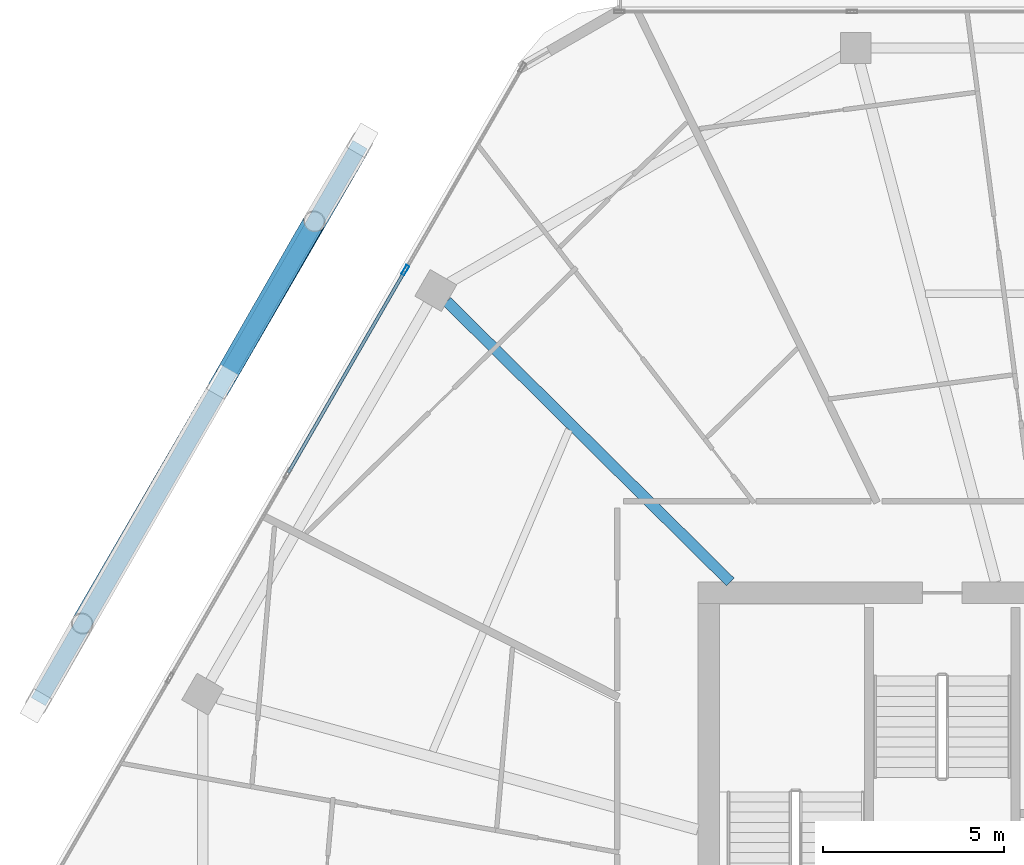
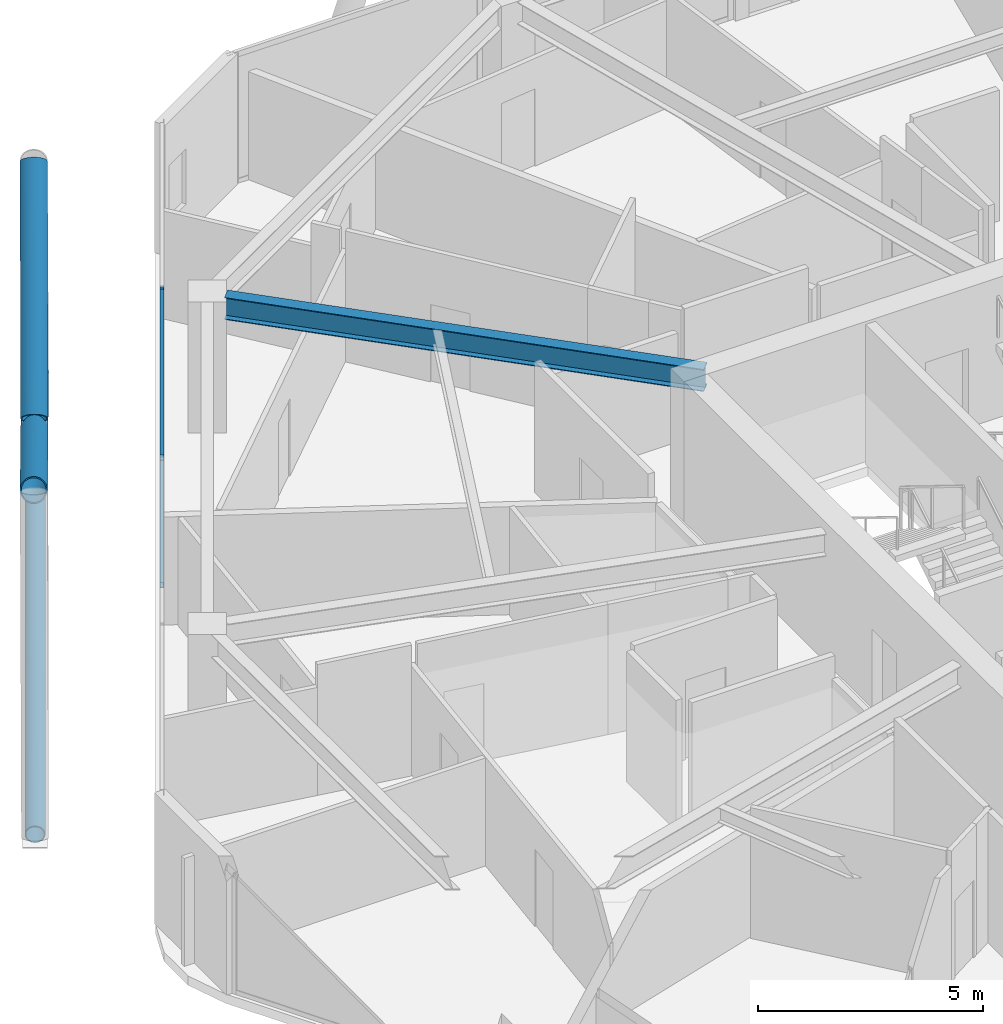
# One storey, part 13 of 27: 6 members, 1 beam, 1 element without a shape of its own.
"""IFC4 building model written with IfcOpenShell, lengths in metres."""

from ifc_helpers import new_model, si_unit, direction, frame, origin, origin_2d, place, context, subcontext, project, spatial, hollow_rectangle, hollow_circle, i_section, extrude, material, material_profile, profile_set, type_object, element, aggregate, save


model = new_model("IFC4")

# Units and contexts
model_context = context("Model", 3, precision=1e-05, world=origin(), true_north=direction((0.0, 1.0)))
body_context = subcontext(model_context, "Body", "Model", "MODEL_VIEW")
ifc_project = project(units=[si_unit("LENGTHUNIT", "METRE"), si_unit("AREAUNIT", "SQUARE_METRE"), si_unit("VOLUMEUNIT", "CUBIC_METRE"), si_unit("PLANEANGLEUNIT", "RADIAN"), si_unit("MASSUNIT", "GRAM", prefix="KILO")], contexts=[model_context])

# Site, building, storey
site_placement = place(None, origin())
site = spatial("IfcSite", under=ifc_project, at=site_placement, CompositionType="ELEMENT")
building_placement = place(site_placement, origin())
building = spatial("IfcBuilding", under=site, at=building_placement, Name="Zuhravey Tower", CompositionType="ELEMENT")
storey_placement = place(building_placement, frame((0.0, 0.0, 276.800048828125)))
storey = spatial("IfcBuildingStorey", under=building, at=storey_placement, Name="L70", CompositionType="ELEMENT", Elevation=276.800048828125)

# Curtain wall, members
ifc_material_1 = material(Name="Thermally broken anodised aluminium", Category="aluminium")
curtain_wall_type = type_object("IfcCurtainWallType", Name="Zone 3-4 High-Rise Curtain Wall CW4", PredefinedType="NOTDEFINED", material=ifc_material_1)
curtain_wall_placement = place(storey_placement, origin())
curtain_wall = element("IfcCurtainWall", 1, at=curtain_wall_placement, inside=storey, type_object=curtain_wall_type, Name="L70 CW4 CW-L70-F3-1", PredefinedType="NOTDEFINED")
ifc_material_2 = material(Name="Anodised aluminium", Category="aluminium")
ifc_material_profile_1 = material_profile(ifc_material_2, hollow_rectangle(XDim=0.090087890625, YDim=0.284912109375, WallThickness=0.0048828125, at=origin_2d()), Name="ALU-RHS-90x285x5")
ifc_profile_set_1 = profile_set([ifc_material_profile_1], Name="Anodised aluminium")
member_type_1 = type_object("IfcMemberType", Name="Curtain-Wall Mullion 90x180", PredefinedType="MULLION", material=ifc_profile_set_1)
member_1_placement = place(storey_placement, frame((17.114501953125, 50.41650390625, 0.0), z_axis=(0.0, 0.0, 1.0), x_axis=(-0.866024851021, 0.500000957414, 0.0)))
member_1 = element("IfcMember", 2, at=member_1_placement, type_object=member_type_1, Name="CW4 mullion 4", PredefinedType="MULLION", context=body_context, shape_type="SweptSolid", body=[
    extrude(hollow_rectangle(XDim=0.090087890625, YDim=0.284912109375, WallThickness=0.0048828125, at=origin_2d()), origin(), (0.0, 0.0, 1.0), 3.550048828125),
])
ifc_material_profile_2 = material_profile(ifc_material_2, hollow_rectangle(XDim=0.090087890625, YDim=0.14990234375, WallThickness=0.0048828125, at=origin_2d()), Name="ALU-RHS-90x150x5")
ifc_profile_set_2 = profile_set([ifc_material_profile_2], Name="Anodised aluminium")
member_type_2 = type_object("IfcMemberType", Name="Curtain-Wall Transom 90x150", PredefinedType="USERDEFINED", material=ifc_profile_set_2)
member_2_placement = place(storey_placement, frame((13.8837890625, 44.82080078125, 0.044921875), z_axis=(0.500014493347, 0.866017035885, 0.0), x_axis=(-0.866017035885, 0.500014493347, 0.0)))
member_2 = element("IfcMember", 3, at=member_2_placement, type_object=member_type_2, Name="CW4 transom 3.1", ObjectType="TRANSOM", PredefinedType="USERDEFINED", context=body_context, shape_type="SweptSolid", body=[
    extrude(hollow_rectangle(XDim=0.090087890625, YDim=0.14990234375, WallThickness=0.0048828125, at=origin_2d()), origin(), (0.0, 0.0, 1.0), 6.416259765625),
])
member_3_placement = place(storey_placement, frame((13.8837890625, 44.82080078125, 3.5048828125), z_axis=(0.500014493347, 0.866017035885, 0.0), x_axis=(-0.866017035885, 0.500014493347, 0.0)))
member_3 = element("IfcMember", 4, at=member_3_placement, type_object=member_type_2, Name="CW4 transom 3.2", ObjectType="TRANSOM", PredefinedType="USERDEFINED", context=body_context, shape_type="SweptSolid", body=[
    extrude(hollow_rectangle(XDim=0.090087890625, YDim=0.14990234375, WallThickness=0.0048828125, at=origin_2d()), origin(), (0.0, 0.0, 1.0), 6.416259765625),
])
aggregate(curtain_wall, [member_1, member_2, member_3])

# Members
ifc_material_3 = material(Name="Steel SM355", Category="steel")
ifc_material_profile_3 = material_profile(ifc_material_3, hollow_circle(Radius=0.228515625, WallThickness=0.02197265625, at=origin_2d()), Name="CHS-457.2x22")
ifc_profile_set_3 = profile_set([ifc_material_profile_3], Name="Steel SM355")
member_type_3 = type_object("IfcMemberType", Name="Exoskeleton Ring Tie CHS457x22", PredefinedType="CHORD", material=ifc_profile_set_3)
member_4_placement = place(storey_placement, frame((15.863525390625, 53.889892578125, -0.464111328125), z_axis=(-0.499995467921, -0.866028020366, 0.0), x_axis=(0.866028020366, -0.499995467921, 0.0)))
element("IfcMember", 5, at=member_4_placement, inside=storey, type_object=member_type_3, Name="L70 Exoskeleton Face 3 Tie EXR1", PredefinedType="CHORD", context=body_context, shape_type="SweptSolid", body=[
    extrude(hollow_circle(Radius=0.228515625, WallThickness=0.02197265625, at=origin_2d()), origin(), (0.0, 0.0, 1.0), 17.778076171875),
])
ifc_material_profile_4 = material_profile(ifc_material_3, hollow_circle(Radius=0.3046875, WallThickness=0.028076171875, at=origin_2d()), Name="CHS-609.6x28")
ifc_profile_set_4 = profile_set([ifc_material_profile_4], Name="Steel SM355")
member_type_4 = type_object("IfcMemberType", Name="Exoskeleton Zone 3 Diagrid CHS610x28", PredefinedType="BRACE", material=ifc_profile_set_4)
member_5_placement = place(storey_placement, frame((15.915283203125, 53.9794921875, -0.446044921875), z_axis=(-0.450096686976, -0.776089238507, 0.441699520316), x_axis=(0.865048154504, -0.501688838214, 0.0)))
element("IfcMember", 6, at=member_5_placement, inside=storey, type_object=member_type_4, Name="L70 Face 3 Diagrid Brace 2", PredefinedType="BRACE", context=body_context, shape_type="SweptSolid", body=[
    extrude(hollow_circle(Radius=0.3046875, WallThickness=0.028076171875, at=origin_2d()), origin(), (0.0, 0.0, 1.0), 17.124755859375),
])
member_6_placement = place(storey_placement, frame((12.17919921875, 47.53955078125, 3.51220703125), z_axis=(0.398783558702, 0.695479175068, 0.597729362133), x_axis=(-0.86750773342, 0.49742369511, 0.0)))
element("IfcMember", 7, at=member_6_placement, inside=storey, type_object=member_type_4, Name="L70 Face 3 Split Diagrid Brace 3B", PredefinedType="BRACE", context=body_context, shape_type="SweptSolid", body=[
    extrude(hollow_circle(Radius=0.3046875, WallThickness=0.028076171875, at=origin_2d()), origin(), (0.0, 0.0, 1.0), 6.021728515625),
])

# Beam
ifc_material_profile_5 = material_profile(ifc_material_3, i_section(OverallWidth=0.300048828125, OverallDepth=0.60009765625, WebThickness=0.011962890625, FlangeThickness=0.02001953125, at=origin_2d()), Name="H-600x300x12x20")
ifc_profile_set_5 = profile_set([ifc_material_profile_5], Name="Steel SM355")
beam_type = type_object("IfcBeamType", Name="Radial Primary Girder H600x300", PredefinedType="BEAM", material=ifc_profile_set_5)
beam_placement = place(storey_placement, frame((26.09326171875, 41.802978515625, 3.25), z_axis=(-0.710808169267, 0.70338591577, 0.0), x_axis=(-0.70338591577, -0.710808169267, 0.0)))
element("IfcBeam", 8, at=beam_placement, inside=storey, type_object=beam_type, Name="L70 RG3 BM-L70-RAD-05", PredefinedType="BEAM", context=body_context, shape_type="SweptSolid", body=[
    extrude(i_section(OverallWidth=0.300048828125, OverallDepth=0.60009765625, WebThickness=0.011962890625, FlangeThickness=0.02001953125, at=origin_2d()), origin(), (0.0, 0.0, 1.0), 11.019287109375),
])

save(model, "model.ifc")
